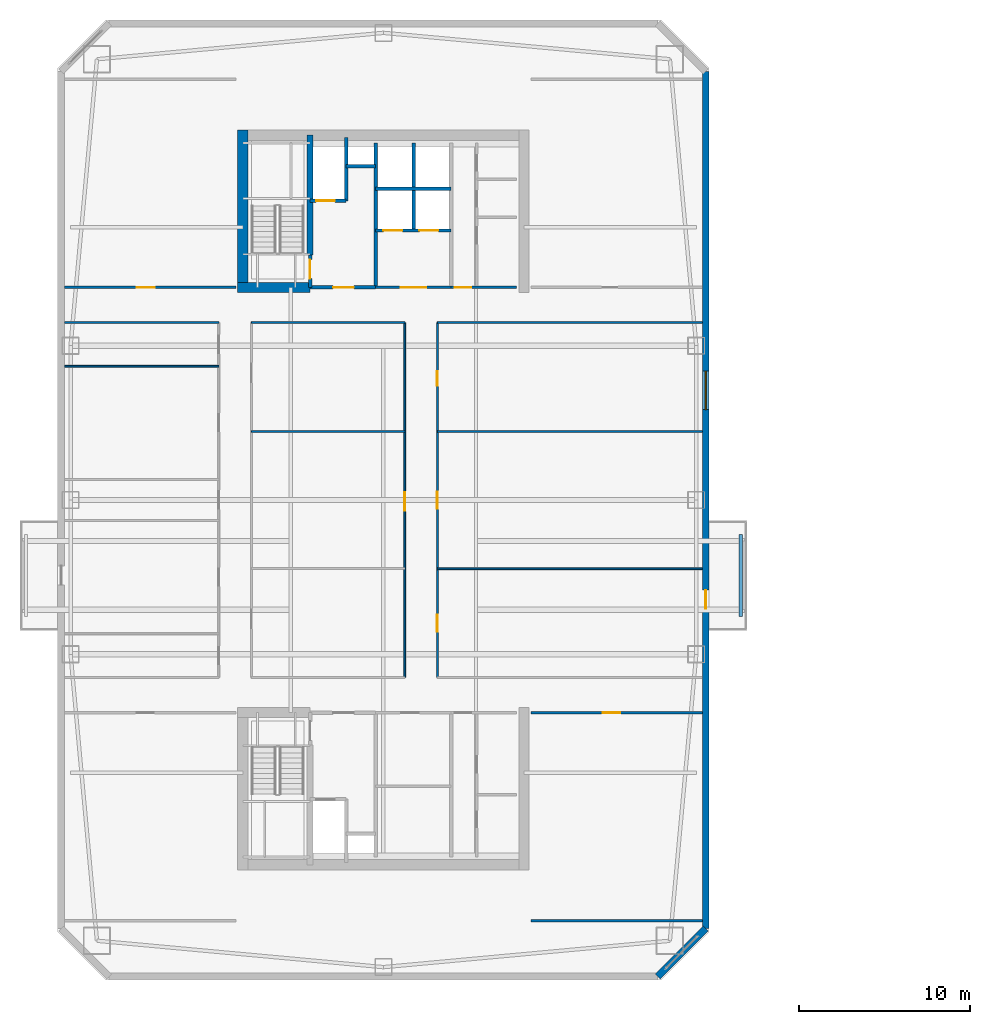
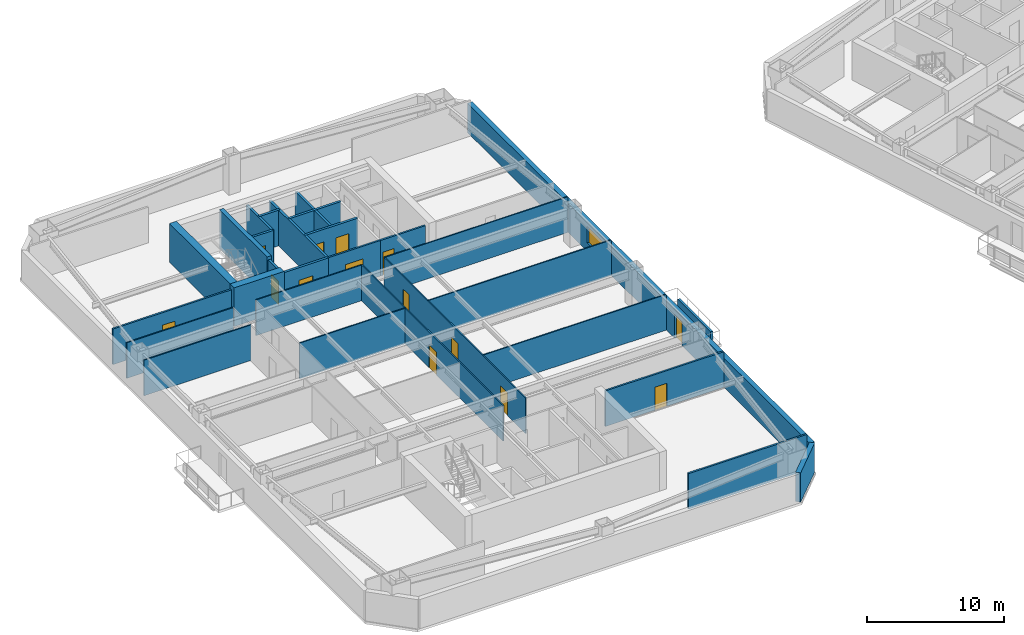
# One storey, part 13 of 22: 29 walls, 14 doors, 1 window, 15 openings.
"""IFC4 building model written with IfcOpenShell, lengths in metres."""

from ifc_helpers import new_model, si_unit, direction, frame, frame_2d, origin, place, context, subcontext, project, spatial, rectangle, extrude, material, layer, layer_set, type_object, element, fill, save


model = new_model("IFC4")

# Units and contexts
model_context = context("Model", 3, precision=1e-05, world=origin(), true_north=direction((0.0, 1.0)))
body_context = subcontext(model_context, "Body", "Model", "MODEL_VIEW")
ifc_project = project(units=[si_unit("LENGTHUNIT", "METRE"), si_unit("AREAUNIT", "SQUARE_METRE"), si_unit("VOLUMEUNIT", "CUBIC_METRE"), si_unit("PLANEANGLEUNIT", "RADIAN"), si_unit("MASSUNIT", "GRAM", prefix="KILO")], contexts=[model_context])

# Site, building, storey
site_placement = place(None, origin())
site = spatial("IfcSite", under=ifc_project, at=site_placement, CompositionType="ELEMENT")
building_placement = place(site_placement, origin())
building = spatial("IfcBuilding", under=site, at=building_placement, Name="Qiaolan Cultural Towers", CompositionType="ELEMENT")
storey_placement = place(building_placement, frame((0.0, 0.0, 146.050048828125)))
storey = spatial("IfcBuildingStorey", under=building, at=storey_placement, Name="L38", CompositionType="ELEMENT", Elevation=146.050048828125)

# Walls
ifc_material_1 = material(Name="Concrete C50", Category="concrete")
ifc_layer_1 = layer(ifc_material_1, 0.35009765625)
ifc_layer_set_1 = layer_set([ifc_layer_1], Name="Concrete C50")
wall_type_1 = type_object("IfcWallType", Name="WL-CORE-350", PredefinedType="SHEAR", material=ifc_layer_set_1)
wall_1_placement = place(storey_placement, frame((25.719970703125, 48.300048828125, 0.0), z_axis=(0.0, 0.0, 1.0), x_axis=(0.0, 1.0, 0.0)))
element("IfcWall", 1, at=wall_1_placement, inside=storey, type_object=wall_type_1, Name="L38 T1-CN Stair Core Dividing Web", PredefinedType="SHEAR", context=body_context, shape_type="SweptSolid", body=[
    extrude(rectangle(XDim=6.97998046875, YDim=0.35009765625, at=frame_2d((3.489990234375, 0.0))), origin(), (0.0, 0.0, 1.0), 3.449951171875),
])
ifc_material_2 = material(Name="Concrete C55", Category="concrete")
ifc_layer_2 = layer(ifc_material_2, 0.60009765625)
ifc_layer_set_2 = layer_set([ifc_layer_2], Name="Concrete C55")
wall_type_2 = type_object("IfcWallType", Name="WL-CORE-600", PredefinedType="SHEAR", material=ifc_layer_set_2)
wall_2_placement = place(storey_placement, frame((21.800048828125, 46.10009765625, 0.0), z_axis=(0.0, 0.0, 1.0), x_axis=(0.0, 1.0, 0.0)))
element("IfcWall", 2, at=wall_2_placement, inside=storey, type_object=wall_type_2, Name="L38 T1-CN West Core Shear Wall", PredefinedType="SHEAR", context=body_context, shape_type="SweptSolid", body=[
    extrude(rectangle(XDim=9.47998046875, YDim=0.60009765625, at=frame_2d((4.739990234375, 0.0))), origin(), (0.0, 0.0, 1.0), 3.449951171875),
])
wall_3_placement = place(storey_placement, frame((21.5, 46.39990234375, 0.0), z_axis=(0.0, 0.0, 1.0), x_axis=(1.0, 0.0, 0.0)))
element("IfcWall", 3, at=wall_3_placement, inside=storey, type_object=wall_type_2, Name="L38 T1-CN Stair Front Shear Wall", PredefinedType="SHEAR", context=body_context, shape_type="SweptSolid", body=[
    extrude(rectangle(XDim=4.219970703125, YDim=0.60009765625, at=frame_2d((2.10986328125, 0.0))), origin(), (0.0, 0.0, 1.0), 3.449951171875),
])

# Wall, openings, door, window
ifc_material_3 = material(Name="Precast Concrete C50 Honed Stone Pier", Category="masonry")
ifc_layer_3 = layer(ifc_material_3, 0.39990234375)
ifc_layer_set_3 = layer_set([ifc_layer_3], Name="Precast Concrete C50 Honed Stone Pier")
wall_type_3 = type_object("IfcWallType", Name="WL-EXT-PIER-400", PredefinedType="SOLIDWALL", material=ifc_layer_set_3)
wall_4_placement = place(storey_placement, frame((48.800048828125, 59.0, 0.0), z_axis=(0.0, 0.0, 1.0), x_axis=(0.0, -1.0, 0.0)))
wall_4 = element("IfcWall", 4, at=wall_4_placement, inside=storey, type_object=wall_type_3, Name="L38 West Tower Precast Pier Facade Wall F5", PredefinedType="SOLIDWALL", context=body_context, shape_type="SweptSolid", body=[
    extrude(rectangle(XDim=50.0, YDim=0.39990234375, at=frame_2d((25.0, 0.0))), origin(), (0.0, 0.0, 1.0), 2.60986328125),
])
opening_1_placement = place(wall_4_placement, frame((17.47509765625, 0.0, 0.75)))
opening_1 = element("IfcOpeningElement", 5, at=opening_1_placement, cuts=wall_4, Name="Opening W-03", PredefinedType="OPENING", context=body_context, shape_type="SweptSolid", body=[
    extrude(rectangle(XDim=2.25, YDim=1.4599609375, at=frame_2d((1.125, 0.72998046875))), frame((0.0, 0.2099609375, 0.0), z_axis=(0.0, -1.0, 0.0), x_axis=(1.0, 0.0, 0.0)), (0.0, 0.0, 1.0), 0.419921875),
])
opening_2_placement = place(wall_4_placement, frame((30.257568359375, 0.0, 0.0)))
opening_2 = element("IfcOpeningElement", 6, at=opening_2_placement, cuts=wall_4, Name="Opening BD-01", PredefinedType="OPENING", context=body_context, shape_type="SweptSolid", body=[
    extrude(rectangle(XDim=1.10009765625, YDim=2.14990234375, at=frame_2d((0.550048828125, 1.074951171875))), frame((0.0, 0.2099609375, 0.0), z_axis=(0.0, -1.0, 0.0), x_axis=(1.0, 0.0, 0.0)), (0.0, 0.0, 1.0), 0.419921875),
])
ifc_material_4 = material(Name="Thermally Broken Aluminium Glazed Terrace Door", Category="aluminium")
door_type_1 = type_object("IfcDoorType", Name="DR-BAL-1100", OperationType="NOTDEFINED", PredefinedType="DOOR", material=ifc_material_4)
door_1_placement = place(opening_2_placement, origin())
door_1 = element("IfcDoor", 7, at=door_1_placement, inside=storey, type_object=door_type_1, Name="L38 T1 East Tree Balcony Door", OperationType="SINGLE_SWING_RIGHT", OverallHeight=2.14990234375, OverallWidth=1.10009765625, PredefinedType="DOOR", context=body_context, shape_type="SweptSolid", body=[
    extrude(rectangle(XDim=1.10009765625, YDim=2.14990234375, at=frame_2d((0.550048828125, 1.074951171875))), frame((0.0, 0.02490234375, 0.0), z_axis=(0.0, -1.0, 0.0), x_axis=(1.0, 0.0, 0.0)), (0.0, 0.0, 1.0), 0.050048828125),
])
fill(opening_2, door_1)
ifc_material_5 = material(Name="Thermally Broken Aluminium Triple Low-E Glazing", Category="aluminium")
window_type = type_object("IfcWindowType", Name="WN-CHIC-2250", PartitioningType="SINGLE_PANEL", PredefinedType="WINDOW", material=ifc_material_5)
window_placement = place(opening_1_placement, origin())
window = element("IfcWindow", 8, at=window_placement, inside=storey, type_object=window_type, Name="L38 T1 E Chicago Bay Window 1", OverallHeight=1.4599609375, OverallWidth=2.25, PartitioningType="TRIPLE_PANEL_VERTICAL", PredefinedType="WINDOW", context=body_context, shape_type="SweptSolid", body=[
    extrude(rectangle(XDim=2.25, YDim=1.4599609375, at=frame_2d((1.125, 0.72998046875))), frame((0.0, 0.030029296875, 0.0), z_axis=(0.0, -1.0, 0.0), x_axis=(1.0, 0.0, 0.0)), (0.0, 0.0, 1.0), 0.06005859375),
])
fill(opening_1, window)

# Wall
wall_5_placement = place(storey_placement, frame((48.800048828125, 9.0, 0.0), z_axis=(0.0, 0.0, 1.0), x_axis=(-0.707106781187, -0.707106781187, 0.0)))
element("IfcWall", 9, at=wall_5_placement, inside=storey, type_object=wall_type_3, Name="L38 West Tower Precast Pier Facade Wall F6", PredefinedType="SOLIDWALL", context=body_context, shape_type="SweptSolid", body=[
    extrude(rectangle(XDim=3.9599609375, YDim=0.39990234375, at=frame_2d((1.97998046875, 0.0))), origin(), (0.0, 0.0, 1.0), 2.60986328125),
])

# Wall, opening, door
ifc_material_6 = material(Name="Concrete C35 Fire Wall", Category="concrete")
ifc_layer_4 = layer(ifc_material_6, 0.199951171875)
ifc_layer_set_4 = layer_set([ifc_layer_4], Name="Concrete C35 Fire Wall")
wall_type_4 = type_object("IfcWallType", Name="WL-FIRE-200", PredefinedType="PARTITIONING", material=ifc_layer_set_4)
wall_6_placement = place(storey_placement, frame((25.719970703125, 46.39990234375, 0.0), z_axis=(0.0, 0.0, 1.0), x_axis=(0.0, 1.0, 0.0)))
wall_6 = element("IfcWall", 10, at=wall_6_placement, inside=storey, type_object=wall_type_4, Name="L38 T1-CN Smokeproof Stair Entry Wall", PredefinedType="PARTITIONING", context=body_context, shape_type="SweptSolid", body=[
    extrude(rectangle(XDim=1.900146484375, YDim=0.199951171875, at=frame_2d((0.9501953125, 0.0))), origin(), (0.0, 0.0, 1.0), 3.175048828125),
])
opening_3_placement = place(wall_6_placement, frame((0.52001953125, 0.0, 0.0)))
opening_3 = element("IfcOpeningElement", 11, at=opening_3_placement, cuts=wall_6, Name="Opening FD-04", PredefinedType="OPENING", context=body_context, shape_type="SweptSolid", body=[
    extrude(rectangle(XDim=1.10009765625, YDim=2.050048828125, at=frame_2d((0.550048828125, 1.02490234375))), frame((0.0, 0.10986328125, 0.0), z_axis=(0.0, -1.0, 0.0), x_axis=(1.0, 0.0, 0.0)), (0.0, 0.0, 1.0), 0.219970703125),
])
ifc_material_7 = material(Name="Galvanized Steel Command Fire Door", Category="steel")
door_type_2 = type_object("IfcDoorType", Name="DR-FD90-1100", OperationType="NOTDEFINED", PredefinedType="DOOR", material=ifc_material_7)
door_2_placement = place(opening_3_placement, origin())
door_2 = element("IfcDoor", 12, at=door_2_placement, inside=storey, type_object=door_type_2, Name="L38 ST-W2 Smokeproof Stair Fire Door", OperationType="SINGLE_SWING_LEFT", OverallHeight=2.050048828125, OverallWidth=1.10009765625, PredefinedType="DOOR", context=body_context, shape_type="SweptSolid", body=[
    extrude(rectangle(XDim=1.10009765625, YDim=2.050048828125, at=frame_2d((0.550048828125, 1.02490234375))), frame((0.0, 0.02490234375, 0.0), z_axis=(0.0, -1.0, 0.0), x_axis=(1.0, 0.0, 0.0)), (0.0, 0.0, 1.0), 0.050048828125),
])
fill(opening_3, door_2)

# Wall
wall_7_placement = place(storey_placement, frame((29.550048828125, 46.39990234375, 0.0), z_axis=(0.0, 0.0, 1.0), x_axis=(0.0, 1.0, 0.0)))
element("IfcWall", 13, at=wall_7_placement, inside=storey, type_object=wall_type_4, Name="L38 T1-CN Firefighting Zone Wall", PredefinedType="PARTITIONING", context=body_context, shape_type="SweptSolid", body=[
    extrude(rectangle(XDim=8.43017578125, YDim=0.199951171875, at=frame_2d((4.215087890625, 0.0))), origin(), (0.0, 0.0, 1.0), 3.175048828125),
])

# Wall, opening, door
wall_8_placement = place(storey_placement, frame((25.719970703125, 46.39990234375, 0.0), z_axis=(0.0, 0.0, 1.0), x_axis=(1.0, 0.0, 0.0)))
wall_8 = element("IfcWall", 14, at=wall_8_placement, inside=storey, type_object=wall_type_4, Name="L38 T1-CN Firefighting Lobby Front Wall", PredefinedType="PARTITIONING", context=body_context, shape_type="SweptSolid", body=[
    extrude(rectangle(XDim=3.830078125, YDim=0.199951171875, at=frame_2d((1.9150390625, 0.0))), origin(), (0.0, 0.0, 1.0), 3.175048828125),
])
opening_4_placement = place(wall_8_placement, frame((1.35009765625, 0.0, 0.0)))
opening_4 = element("IfcOpeningElement", 15, at=opening_4_placement, cuts=wall_8, Name="Opening FD-03", PredefinedType="OPENING", context=body_context, shape_type="SweptSolid", body=[
    extrude(rectangle(XDim=1.199951171875, YDim=2.050048828125, at=frame_2d((0.60009765625, 1.02490234375))), frame((0.0, 0.10986328125, 0.0), z_axis=(0.0, -1.0, 0.0), x_axis=(1.0, 0.0, 0.0)), (0.0, 0.0, 1.0), 0.219970703125),
])
ifc_material_8 = material(Name="Galvanized Steel Smokeproof Lobby Fire Door", Category="steel")
door_type_3 = type_object("IfcDoorType", Name="DR-FD90-1200", OperationType="NOTDEFINED", PredefinedType="DOOR", material=ifc_material_8)
door_3_placement = place(opening_4_placement, origin())
door_3 = element("IfcDoor", 16, at=door_3_placement, inside=storey, type_object=door_type_3, Name="L38 FFL-W2 Firefighting Lobby Fire Door", OperationType="SINGLE_SWING_LEFT", OverallHeight=2.050048828125, OverallWidth=1.199951171875, PredefinedType="DOOR", context=body_context, shape_type="SweptSolid", body=[
    extrude(rectangle(XDim=1.199951171875, YDim=2.050048828125, at=frame_2d((0.60009765625, 1.02490234375))), frame((0.0, 0.02490234375, 0.0), z_axis=(0.0, -1.0, 0.0), x_axis=(1.0, 0.0, 0.0)), (0.0, 0.0, 1.0), 0.050048828125),
])
fill(opening_4, door_3)

wall_9_placement = place(storey_placement, frame((25.719970703125, 51.449951171875, 0.0), z_axis=(0.0, 0.0, 1.0), x_axis=(1.0, 0.0, 0.0)))
wall_9 = element("IfcWall", 17, at=wall_9_placement, inside=storey, type_object=wall_type_4, Name="L38 T1-CN Firefighting Shaft Front Wall", PredefinedType="PARTITIONING", context=body_context, shape_type="SweptSolid", body=[
    extrude(rectangle(XDim=2.10009765625, YDim=0.199951171875, at=frame_2d((1.050048828125, 0.0))), origin(), (0.0, 0.0, 1.0), 3.175048828125),
])
opening_5_placement = place(wall_9_placement, frame((0.35009765625, 0.0, 0.0)))
opening_5 = element("IfcOpeningElement", 18, at=opening_5_placement, cuts=wall_9, Name="Opening LD-01", PredefinedType="OPENING", context=body_context, shape_type="SweptSolid", body=[
    extrude(rectangle(XDim=1.10009765625, YDim=2.050048828125, at=frame_2d((0.550048828125, 1.02490234375))), frame((0.0, 0.10986328125, 0.0), z_axis=(0.0, -1.0, 0.0), x_axis=(1.0, 0.0, 0.0)), (0.0, 0.0, 1.0), 0.219970703125),
])
ifc_material_9 = material(Name="Brushed Stainless Steel S30408 Centre-Parting Lift Landing Door", Category="steel")
door_type_4 = type_object("IfcDoorType", Name="DR-LIFT-1100", OperationType="NOTDEFINED", PredefinedType="DOOR", material=ifc_material_9)
door_4_placement = place(opening_5_placement, origin())
door_4 = element("IfcDoor", 19, at=door_4_placement, inside=storey, type_object=door_type_4, Name="L38 FFL-W2 Firefighting Lift Landing Door", OperationType="DOUBLE_DOOR_SLIDING", OverallHeight=2.050048828125, OverallWidth=1.10009765625, PredefinedType="DOOR", context=body_context, shape_type="SweptSolid", body=[
    extrude(rectangle(XDim=1.10009765625, YDim=2.050048828125, at=frame_2d((0.550048828125, 1.02490234375))), frame((0.0, 0.02490234375, 0.0), z_axis=(0.0, -1.0, 0.0), x_axis=(1.0, 0.0, 0.0)), (0.0, 0.0, 1.0), 0.050048828125),
])
fill(opening_5, door_4)

# Walls
wall_10_placement = place(storey_placement, frame((27.820068359375, 51.449951171875, 0.0), z_axis=(0.0, 0.0, 1.0), x_axis=(0.0, 1.0, 0.0)))
element("IfcWall", 20, at=wall_10_placement, inside=storey, type_object=wall_type_4, Name="L38 T1-CN Firefighting Hoistway East Wall", PredefinedType="PARTITIONING", context=body_context, shape_type="SweptSolid", body=[
    extrude(rectangle(XDim=3.699951171875, YDim=0.199951171875, at=frame_2d((1.85009765625, 0.0))), origin(), (0.0, 0.0, 1.0), 3.175048828125),
])
wall_11_placement = place(storey_placement, frame((27.820068359375, 53.47998046875, 0.0), z_axis=(0.0, 0.0, 1.0), x_axis=(1.0, 0.0, 0.0)))
element("IfcWall", 21, at=wall_11_placement, inside=storey, type_object=wall_type_4, Name="L38 T1-CN Pressurization Shaft Front Wall", PredefinedType="PARTITIONING", context=body_context, shape_type="SweptSolid", body=[
    extrude(rectangle(XDim=1.72998046875, YDim=0.199951171875, at=frame_2d((0.864990234375, 0.0))), origin(), (0.0, 0.0, 1.0), 3.175048828125),
])

# Wall, openings, doors
wall_12_placement = place(storey_placement, frame((29.550048828125, 49.719970703125, 0.0), z_axis=(0.0, 0.0, 1.0), x_axis=(1.0, 0.0, 0.0)))
wall_12 = element("IfcWall", 22, at=wall_12_placement, inside=storey, type_object=wall_type_4, Name="L38 T1-CN Passenger Lift Shaft Front Wall", PredefinedType="PARTITIONING", context=body_context, shape_type="SweptSolid", body=[
    extrude(rectangle(XDim=4.39990234375, YDim=0.199951171875, at=frame_2d((2.199951171875, 0.0))), origin(), (0.0, 0.0, 1.0), 3.175048828125),
])
opening_6_placement = place(wall_12_placement, frame((0.449951171875, 0.0, 0.0)))
opening_6 = element("IfcOpeningElement", 23, at=opening_6_placement, cuts=wall_12, Name="Opening LD-01", PredefinedType="OPENING", context=body_context, shape_type="SweptSolid", body=[
    extrude(rectangle(XDim=1.10009765625, YDim=2.050048828125, at=frame_2d((0.550048828125, 1.02490234375))), frame((0.0, 0.10986328125, 0.0), z_axis=(0.0, -1.0, 0.0), x_axis=(1.0, 0.0, 0.0)), (0.0, 0.0, 1.0), 0.219970703125),
])
opening_7_placement = place(wall_12_placement, frame((2.550048828125, 0.0, 0.0)))
opening_7 = element("IfcOpeningElement", 24, at=opening_7_placement, cuts=wall_12, Name="Opening LD-01", PredefinedType="OPENING", context=body_context, shape_type="SweptSolid", body=[
    extrude(rectangle(XDim=1.10009765625, YDim=2.050048828125, at=frame_2d((0.550048828125, 1.02490234375))), frame((0.0, 0.10986328125, 0.0), z_axis=(0.0, -1.0, 0.0), x_axis=(1.0, 0.0, 0.0)), (0.0, 0.0, 1.0), 0.219970703125),
])
door_5_placement = place(opening_6_placement, origin())
door_5 = element("IfcDoor", 25, at=door_5_placement, inside=storey, type_object=door_type_4, Name="L38 Passenger Lift 1 Landing Door", OperationType="DOUBLE_DOOR_SLIDING", OverallHeight=2.050048828125, OverallWidth=1.10009765625, PredefinedType="DOOR", context=body_context, shape_type="SweptSolid", body=[
    extrude(rectangle(XDim=1.10009765625, YDim=2.050048828125, at=frame_2d((0.550048828125, 1.02490234375))), frame((0.0, 0.02490234375, 0.0), z_axis=(0.0, -1.0, 0.0), x_axis=(1.0, 0.0, 0.0)), (0.0, 0.0, 1.0), 0.050048828125),
])
fill(opening_6, door_5)
door_6_placement = place(opening_7_placement, origin())
door_6 = element("IfcDoor", 26, at=door_6_placement, inside=storey, type_object=door_type_4, Name="L38 Passenger Lift 2 Landing Door", OperationType="DOUBLE_DOOR_SLIDING", OverallHeight=2.050048828125, OverallWidth=1.10009765625, PredefinedType="DOOR", context=body_context, shape_type="SweptSolid", body=[
    extrude(rectangle(XDim=1.10009765625, YDim=2.050048828125, at=frame_2d((0.550048828125, 1.02490234375))), frame((0.0, 0.02490234375, 0.0), z_axis=(0.0, -1.0, 0.0), x_axis=(1.0, 0.0, 0.0)), (0.0, 0.0, 1.0), 0.050048828125),
])
fill(opening_7, door_6)

# Walls
wall_13_placement = place(storey_placement, frame((31.780029296875, 49.719970703125, 0.0), z_axis=(0.0, 0.0, 1.0), x_axis=(0.0, 1.0, 0.0)))
element("IfcWall", 27, at=wall_13_placement, inside=storey, type_object=wall_type_4, Name="L38 T1-CN Lift Shaft Divider Wall", PredefinedType="PARTITIONING", context=body_context, shape_type="SweptSolid", body=[
    extrude(rectangle(XDim=5.110107421875, YDim=0.199951171875, at=frame_2d((2.55517578125, 0.0))), origin(), (0.0, 0.0, 1.0), 3.175048828125),
])
wall_14_placement = place(storey_placement, frame((29.550048828125, 52.14990234375, 0.0), z_axis=(0.0, 0.0, 1.0), x_axis=(1.0, 0.0, 0.0)))
element("IfcWall", 28, at=wall_14_placement, inside=storey, type_object=wall_type_4, Name="L38 T1-CN Passenger Lift Shaft Back Wall", PredefinedType="PARTITIONING", context=body_context, shape_type="SweptSolid", body=[
    extrude(rectangle(XDim=4.39990234375, YDim=0.199951171875, at=frame_2d((2.199951171875, 0.0))), origin(), (0.0, 0.0, 1.0), 3.175048828125),
])
ifc_material_10 = material(Name="Acoustic Double-Glazed Partition Frame", Category="glass")
ifc_layer_5 = layer(ifc_material_10, 0.10009765625)
ifc_layer_set_5 = layer_set([ifc_layer_5], Name="Acoustic Double-Glazed Partition Frame")
wall_type_5 = type_object("IfcWallType", Name="WL-GLAZED-100", PredefinedType="MOVABLE", material=ifc_layer_set_5)
wall_15_placement = place(storey_placement, frame((11.39990234375, 44.35009765625, 0.0), z_axis=(0.0, 0.0, 1.0), x_axis=(1.0, 0.0, 0.0)))
element("IfcWall", 29, at=wall_15_placement, inside=storey, type_object=wall_type_5, Name="L38 T1 Interior Wall", PredefinedType="MOVABLE", context=body_context, shape_type="SweptSolid", body=[
    extrude(rectangle(XDim=9.0, YDim=0.10009765625, at=frame_2d((4.5, 0.0))), origin(), (0.0, 0.0, 1.0), 3.175048828125),
])
wall_16_placement = place(storey_placement, frame((22.300048828125, 44.35009765625, 0.0), z_axis=(0.0, 0.0, 1.0), x_axis=(1.0, 0.0, 0.0)))
element("IfcWall", 30, at=wall_16_placement, inside=storey, type_object=wall_type_5, Name="L38 T1 Interior Wall", PredefinedType="MOVABLE", context=body_context, shape_type="SweptSolid", body=[
    extrude(rectangle(XDim=8.949951171875, YDim=0.10009765625, at=frame_2d((4.47509765625, 0.0))), origin(), (0.0, 0.0, 1.0), 3.175048828125),
])
wall_17_placement = place(storey_placement, frame((33.14990234375, 44.35009765625, 0.0), z_axis=(0.0, 0.0, 1.0), x_axis=(1.0, 0.0, 0.0)))
element("IfcWall", 31, at=wall_17_placement, inside=storey, type_object=wall_type_5, Name="L38 T1 Interior Wall", PredefinedType="MOVABLE", context=body_context, shape_type="SweptSolid", body=[
    extrude(rectangle(XDim=15.4501953125, YDim=0.10009765625, at=frame_2d((7.72509765625, 0.0))), origin(), (0.0, 0.0, 1.0), 3.175048828125),
])

# Wall, opening, door
wall_18_placement = place(storey_placement, frame((31.25, 23.64990234375, 0.0), z_axis=(0.0, 0.0, 1.0), x_axis=(0.0, 1.0, 0.0)))
wall_18 = element("IfcWall", 32, at=wall_18_placement, inside=storey, type_object=wall_type_5, Name="L38 T1 Interior Wall", PredefinedType="MOVABLE", context=body_context, shape_type="SweptSolid", body=[
    extrude(rectangle(XDim=20.7001953125, YDim=0.10009765625, at=frame_2d((10.35009765625, 0.0))), origin(), (0.0, 0.0, 1.0), 3.175048828125),
])
opening_8_placement = place(wall_18_placement, frame((9.7099609375, 0.0, 0.0)))
opening_8 = element("IfcOpeningElement", 33, at=opening_8_placement, cuts=wall_18, Name="Opening ID-03", PredefinedType="OPENING", context=body_context, shape_type="SweptSolid", body=[
    extrude(rectangle(XDim=1.10009765625, YDim=2.050048828125, at=frame_2d((0.550048828125, 1.02490234375))), frame((0.0, 0.06005859375, 0.0), z_axis=(0.0, -1.0, 0.0), x_axis=(1.0, 0.0, 0.0)), (0.0, 0.0, 1.0), 0.1201171875),
])
ifc_material_11 = material(Name="Oak Veneer Solid-Core Boardroom Door", Category="timber")
door_type_5 = type_object("IfcDoorType", Name="DR-INT-1100", OperationType="NOTDEFINED", PredefinedType="DOOR", material=ifc_material_11)
door_7_placement = place(opening_8_placement, origin())
door_7 = element("IfcDoor", 34, at=door_7_placement, inside=storey, type_object=door_type_5, Name="L38 T1 Central Study Salon Door", OperationType="SINGLE_SWING_LEFT", OverallHeight=2.050048828125, OverallWidth=1.10009765625, PredefinedType="DOOR", context=body_context, shape_type="SweptSolid", body=[
    extrude(rectangle(XDim=1.10009765625, YDim=2.050048828125, at=frame_2d((0.550048828125, 1.02490234375))), frame((0.0, 0.02490234375, 0.0), z_axis=(0.0, -1.0, 0.0), x_axis=(1.0, 0.0, 0.0)), (0.0, 0.0, 1.0), 0.050048828125),
])
fill(opening_8, door_7)

# Wall, openings, doors
wall_19_placement = place(storey_placement, frame((33.14990234375, 23.64990234375, 0.0), z_axis=(0.0, 0.0, 1.0), x_axis=(0.0, 1.0, 0.0)))
wall_19 = element("IfcWall", 35, at=wall_19_placement, inside=storey, type_object=wall_type_5, Name="L38 T1 Interior Wall", PredefinedType="MOVABLE", context=body_context, shape_type="SweptSolid", body=[
    extrude(rectangle(XDim=20.7001953125, YDim=0.10009765625, at=frame_2d((10.35009765625, 0.0))), origin(), (0.0, 0.0, 1.0), 3.175048828125),
])
opening_9_placement = place(wall_19_placement, frame((2.66748046875, 0.0, 0.0)))
opening_9 = element("IfcOpeningElement", 36, at=opening_9_placement, cuts=wall_19, Name="Opening ID-04", PredefinedType="OPENING", context=body_context, shape_type="SweptSolid", body=[
    extrude(rectangle(XDim=1.0, YDim=2.050048828125, at=frame_2d((0.5, 1.02490234375))), frame((0.0, 0.06005859375, 0.0), z_axis=(0.0, -1.0, 0.0), x_axis=(1.0, 0.0, 0.0)), (0.0, 0.0, 1.0), 0.1201171875),
])
opening_10_placement = place(wall_19_placement, frame((9.842529296875, 0.0, 0.0)))
opening_10 = element("IfcOpeningElement", 37, at=opening_10_placement, cuts=wall_19, Name="Opening ID-04", PredefinedType="OPENING", context=body_context, shape_type="SweptSolid", body=[
    extrude(rectangle(XDim=1.0, YDim=2.050048828125, at=frame_2d((0.5, 1.02490234375))), frame((0.0, 0.06005859375, 0.0), z_axis=(0.0, -1.0, 0.0), x_axis=(1.0, 0.0, 0.0)), (0.0, 0.0, 1.0), 0.1201171875),
])
opening_11_placement = place(wall_19_placement, frame((17.02490234375, 0.0, 0.0)))
opening_11 = element("IfcOpeningElement", 38, at=opening_11_placement, cuts=wall_19, Name="Opening ID-09", PredefinedType="OPENING", context=body_context, shape_type="SweptSolid", body=[
    extrude(rectangle(XDim=0.85009765625, YDim=2.050048828125, at=frame_2d((0.425048828125, 1.02490234375))), frame((0.0, 0.06005859375, 0.0), z_axis=(0.0, -1.0, 0.0), x_axis=(1.0, 0.0, 0.0)), (0.0, 0.0, 1.0), 0.1201171875),
])
ifc_material_12 = material(Name="Oak Veneer Acoustic Office Door", Category="timber")
door_type_6 = type_object("IfcDoorType", Name="DR-INT-1000", OperationType="NOTDEFINED", PredefinedType="DOOR", material=ifc_material_12)
door_8_placement = place(opening_9_placement, origin())
door_8 = element("IfcDoor", 39, at=door_8_placement, inside=storey, type_object=door_type_6, Name="L38 T1 Urban Exhibition Hall Door", OperationType="SINGLE_SWING_RIGHT", OverallHeight=2.050048828125, OverallWidth=1.0, PredefinedType="DOOR", context=body_context, shape_type="SweptSolid", body=[
    extrude(rectangle(XDim=1.0, YDim=2.050048828125, at=frame_2d((0.5, 1.02490234375))), frame((0.0, 0.02490234375, 0.0), z_axis=(0.0, -1.0, 0.0), x_axis=(1.0, 0.0, 0.0)), (0.0, 0.0, 1.0), 0.050048828125),
])
fill(opening_9, door_8)
door_9_placement = place(opening_10_placement, origin())
door_9 = element("IfcDoor", 40, at=door_9_placement, inside=storey, type_object=door_type_6, Name="L38 T1 Urban Exhibition Hall Door", OperationType="SINGLE_SWING_LEFT", OverallHeight=2.050048828125, OverallWidth=1.0, PredefinedType="DOOR", context=body_context, shape_type="SweptSolid", body=[
    extrude(rectangle(XDim=1.0, YDim=2.050048828125, at=frame_2d((0.5, 1.02490234375))), frame((0.0, 0.02490234375, 0.0), z_axis=(0.0, -1.0, 0.0), x_axis=(1.0, 0.0, 0.0)), (0.0, 0.0, 1.0), 0.050048828125),
])
fill(opening_10, door_9)
ifc_material_13 = material(Name="Moisture-Resistant Laminate Utility Door", Category="timber")
door_type_7 = type_object("IfcDoorType", Name="DR-INT-850", OperationType="NOTDEFINED", PredefinedType="DOOR", material=ifc_material_13)
door_10_placement = place(opening_11_placement, origin())
door_10 = element("IfcDoor", 41, at=door_10_placement, inside=storey, type_object=door_type_7, Name="L38 T1 Print & Book Counter Door", OperationType="SINGLE_SWING_RIGHT", OverallHeight=2.050048828125, OverallWidth=0.85009765625, PredefinedType="DOOR", context=body_context, shape_type="SweptSolid", body=[
    extrude(rectangle(XDim=0.85009765625, YDim=2.050048828125, at=frame_2d((0.425048828125, 1.02490234375))), frame((0.0, 0.02490234375, 0.0), z_axis=(0.0, -1.0, 0.0), x_axis=(1.0, 0.0, 0.0)), (0.0, 0.0, 1.0), 0.050048828125),
])
fill(opening_11, door_10)

# Walls
wall_20_placement = place(storey_placement, frame((22.300048828125, 38.0, 0.0), z_axis=(0.0, 0.0, 1.0), x_axis=(1.0, 0.0, 0.0)))
element("IfcWall", 42, at=wall_20_placement, inside=storey, type_object=wall_type_5, Name="L38 T1 Interior Wall", PredefinedType="MOVABLE", context=body_context, shape_type="SweptSolid", body=[
    extrude(rectangle(XDim=8.949951171875, YDim=0.10009765625, at=frame_2d((4.47509765625, 0.0))), origin(), (0.0, 0.0, 1.0), 3.175048828125),
])
wall_21_placement = place(storey_placement, frame((11.39990234375, 41.800048828125, 0.0), z_axis=(0.0, 0.0, 1.0), x_axis=(1.0, 0.0, 0.0)))
element("IfcWall", 43, at=wall_21_placement, inside=storey, type_object=wall_type_5, Name="L38 T1 Interior Wall", PredefinedType="MOVABLE", context=body_context, shape_type="SweptSolid", body=[
    extrude(rectangle(XDim=9.0, YDim=0.10009765625, at=frame_2d((4.5, 0.0))), origin(), (0.0, 0.0, 1.0), 3.175048828125),
])
for number, where, z_axis, x_axis, name in (
    (44, (33.14990234375, 29.985107421875, 0.0), (0.0, 0.0, 1.0), (1.0, 0.0, 0.0), "L38 T1 Interior Wall"),
    (45, (33.14990234375, 38.0, 0.0), (0.0, 0.0, 1.0), (1.0, 0.0, 0.0), "L38 T1 Interior Wall"),
):
    element("IfcWall", number, at=place(storey_placement, frame(where, z_axis=z_axis, x_axis=x_axis)), inside=storey, type_object=wall_type_5, Name=name, PredefinedType="MOVABLE", context=body_context, shape_type="SweptSolid", body=[
        extrude(rectangle(XDim=15.4501953125, YDim=0.10009765625, at=frame_2d((7.72509765625, 0.0))), origin(), (0.0, 0.0, 1.0), 3.175048828125),
    ])

# Wall, opening, door
ifc_material_14 = material(Name="Autoclaved Aerated Concrete Block B06", Category="concrete")
ifc_layer_6 = layer(ifc_material_14, 0.14990234375)
ifc_layer_set_6 = layer_set([ifc_layer_6], Name="Autoclaved Aerated Concrete Block B06")
wall_type_6 = type_object("IfcWallType", Name="WL-PART-150", PredefinedType="PARTITIONING", material=ifc_layer_set_6)
wall_22_placement = place(storey_placement, frame((29.550048828125, 46.39990234375, 0.0), z_axis=(0.0, 0.0, 1.0), x_axis=(1.0, 0.0, 0.0)))
wall_22 = element("IfcWall", 46, at=wall_22_placement, inside=storey, type_object=wall_type_6, Name="L38 T1-CN Passenger Lift Lobby Front Wall", PredefinedType="PARTITIONING", context=body_context, shape_type="SweptSolid", body=[
    extrude(rectangle(XDim=4.39990234375, YDim=0.14990234375, at=frame_2d((2.199951171875, 0.0))), origin(), (0.0, 0.0, 1.0), 3.175048828125),
])
opening_12_placement = place(wall_22_placement, frame((1.449951171875, 0.0, 0.0)))
opening_12 = element("IfcOpeningElement", 47, at=opening_12_placement, cuts=wall_22, Name="Opening FD-05", PredefinedType="OPENING", context=body_context, shape_type="SweptSolid", body=[
    extrude(rectangle(XDim=1.5, YDim=2.050048828125, at=frame_2d((0.75, 1.02490234375))), frame((0.0, 0.0849609375, 0.0), z_axis=(0.0, -1.0, 0.0), x_axis=(1.0, 0.0, 0.0)), (0.0, 0.0, 1.0), 0.169921875),
])
ifc_material_15 = material(Name="Painted Steel Lift Lobby Fire Door", Category="steel")
door_type_8 = type_object("IfcDoorType", Name="DR-FD60-1500", OperationType="NOTDEFINED", PredefinedType="DOOR", material=ifc_material_15)
door_11_placement = place(opening_12_placement, origin())
door_11 = element("IfcDoor", 48, at=door_11_placement, inside=storey, type_object=door_type_8, Name="L38 Passenger Lift Lobby Entrance", OperationType="SINGLE_SWING_LEFT", OverallHeight=2.050048828125, OverallWidth=1.5, PredefinedType="DOOR", context=body_context, shape_type="SweptSolid", body=[
    extrude(rectangle(XDim=1.5, YDim=2.050048828125, at=frame_2d((0.75, 1.02490234375))), frame((0.0, 0.02490234375, 0.0), z_axis=(0.0, -1.0, 0.0), x_axis=(1.0, 0.0, 0.0)), (0.0, 0.0, 1.0), 0.050048828125),
])
fill(opening_12, door_11)

wall_23_placement = place(storey_placement, frame((33.949951171875, 46.39990234375, 0.0), z_axis=(0.0, 0.0, 1.0), x_axis=(1.0, 0.0, 0.0)))
wall_23 = element("IfcWall", 49, at=wall_23_placement, inside=storey, type_object=wall_type_6, Name="L38 T1-CN Sanitary Core Front Wall", PredefinedType="PARTITIONING", context=body_context, shape_type="SweptSolid", body=[
    extrude(rectangle(XDim=3.800048828125, YDim=0.14990234375, at=frame_2d((1.89990234375, 0.0))), origin(), (0.0, 0.0, 1.0), 3.175048828125),
])
opening_13_placement = place(wall_23_placement, frame((0.219970703125, 0.0, 0.0)))
opening_13 = element("IfcOpeningElement", 50, at=opening_13_placement, cuts=wall_23, Name="Opening ID-05", PredefinedType="OPENING", context=body_context, shape_type="SweptSolid", body=[
    extrude(rectangle(XDim=0.949951171875, YDim=2.050048828125, at=frame_2d((0.47509765625, 1.02490234375))), frame((0.0, 0.0849609375, 0.0), z_axis=(0.0, -1.0, 0.0), x_axis=(1.0, 0.0, 0.0)), (0.0, 0.0, 1.0), 0.169921875),
])
ifc_material_16 = material(Name="Fire-Rated Laminate Accessible Core Door", Category="timber")
door_type_9 = type_object("IfcDoorType", Name="DR-INT-950", OperationType="NOTDEFINED", PredefinedType="DOOR", material=ifc_material_16)
door_12_placement = place(opening_13_placement, origin())
door_12 = element("IfcDoor", 51, at=door_12_placement, inside=storey, type_object=door_type_9, Name="L38 Sanitary Vestibule Door", OperationType="SINGLE_SWING_LEFT", OverallHeight=2.050048828125, OverallWidth=0.949951171875, PredefinedType="DOOR", context=body_context, shape_type="SweptSolid", body=[
    extrude(rectangle(XDim=0.949951171875, YDim=2.050048828125, at=frame_2d((0.47509765625, 1.02490234375))), frame((0.0, 0.02490234375, 0.0), z_axis=(0.0, -1.0, 0.0), x_axis=(1.0, 0.0, 0.0)), (0.0, 0.0, 1.0), 0.050048828125),
])
fill(opening_13, door_12)

# Wall
wall_24_placement = place(storey_placement, frame((38.60009765625, 9.449951171875, 0.0), z_axis=(0.0, 0.0, 1.0), x_axis=(1.0, 0.0, 0.0)))
element("IfcWall", 52, at=wall_24_placement, inside=storey, type_object=wall_type_6, Name="L38 T1 Flank Wall FLK-SE", PredefinedType="PARTITIONING", context=body_context, shape_type="SweptSolid", body=[
    extrude(rectangle(XDim=10.0, YDim=0.14990234375, at=frame_2d((5.0, 0.0))), origin(), (0.0, 0.0, 1.0), 3.175048828125),
])

# Wall, opening, door
wall_25_placement = place(storey_placement, frame((38.60009765625, 21.60009765625, 0.0), z_axis=(0.0, 0.0, 1.0), x_axis=(1.0, 0.0, 0.0)))
wall_25 = element("IfcWall", 53, at=wall_25_placement, inside=storey, type_object=wall_type_6, Name="L38 T1 Flank Front FLK-SE", PredefinedType="PARTITIONING", context=body_context, shape_type="SweptSolid", body=[
    extrude(rectangle(XDim=10.0, YDim=0.14990234375, at=frame_2d((5.0, 0.0))), origin(), (0.0, 0.0, 1.0), 3.175048828125),
])
opening_14_placement = place(wall_25_placement, frame((4.199951171875, 0.0, 0.0)))
opening_14 = element("IfcOpeningElement", 54, at=opening_14_placement, cuts=wall_25, Name="Opening ID-04", PredefinedType="OPENING", context=body_context, shape_type="SweptSolid", body=[
    extrude(rectangle(XDim=1.0, YDim=2.050048828125, at=frame_2d((0.5, 1.02490234375))), frame((0.0, 0.0849609375, 0.0), z_axis=(0.0, -1.0, 0.0), x_axis=(1.0, 0.0, 0.0)), (0.0, 0.0, 1.0), 0.169921875),
])
door_13_placement = place(opening_14_placement, origin())
door_13 = element("IfcDoor", 55, at=door_13_placement, inside=storey, type_object=door_type_6, Name="L38 T1 Corner Studio Door", OperationType="SINGLE_SWING_LEFT", OverallHeight=2.050048828125, OverallWidth=1.0, PredefinedType="DOOR", context=body_context, shape_type="SweptSolid", body=[
    extrude(rectangle(XDim=1.0, YDim=2.050048828125, at=frame_2d((0.5, 1.02490234375))), frame((0.0, 0.02490234375, 0.0), z_axis=(0.0, -1.0, 0.0), x_axis=(1.0, 0.0, 0.0)), (0.0, 0.0, 1.0), 0.050048828125),
])
fill(opening_14, door_13)

wall_26_placement = place(storey_placement, frame((11.39990234375, 46.39990234375, 0.0), z_axis=(0.0, 0.0, 1.0), x_axis=(1.0, 0.0, 0.0)))
wall_26 = element("IfcWall", 56, at=wall_26_placement, inside=storey, type_object=wall_type_6, Name="L38 T1 Flank Front FLK-NW", PredefinedType="PARTITIONING", context=body_context, shape_type="SweptSolid", body=[
    extrude(rectangle(XDim=10.0, YDim=0.14990234375, at=frame_2d((5.0, 0.0))), origin(), (0.0, 0.0, 1.0), 3.175048828125),
])
opening_15_placement = place(wall_26_placement, frame((4.199951171875, 0.0, 0.0)))
opening_15 = element("IfcOpeningElement", 57, at=opening_15_placement, cuts=wall_26, Name="Opening ID-07", PredefinedType="OPENING", context=body_context, shape_type="SweptSolid", body=[
    extrude(rectangle(XDim=1.050048828125, YDim=2.050048828125, at=frame_2d((0.52490234375, 1.02490234375))), frame((0.0, 0.0849609375, 0.0), z_axis=(0.0, -1.0, 0.0), x_axis=(1.0, 0.0, 0.0)), (0.0, 0.0, 1.0), 0.169921875),
])
ifc_material_17 = material(Name="Oak Veneer Consultation Door", Category="timber")
door_type_10 = type_object("IfcDoorType", Name="DR-INT-1050", OperationType="NOTDEFINED", PredefinedType="DOOR", material=ifc_material_17)
door_14_placement = place(opening_15_placement, origin())
door_14 = element("IfcDoor", 58, at=door_14_placement, inside=storey, type_object=door_type_10, Name="L38 T1 Corner Studio Door", OperationType="SINGLE_SWING_LEFT", OverallHeight=2.050048828125, OverallWidth=1.050048828125, PredefinedType="DOOR", context=body_context, shape_type="SweptSolid", body=[
    extrude(rectangle(XDim=1.050048828125, YDim=2.050048828125, at=frame_2d((0.52490234375, 1.02490234375))), frame((0.0, 0.02490234375, 0.0), z_axis=(0.0, -1.0, 0.0), x_axis=(1.0, 0.0, 0.0)), (0.0, 0.0, 1.0), 0.050048828125),
])
fill(opening_15, door_14)

# Wall
ifc_material_18 = material(Name="Precast Concrete C45 Tree Planter Upstand", Category="concrete")
ifc_layer_7 = layer(ifc_material_18, 0.199951171875)
ifc_layer_set_7 = layer_set([ifc_layer_7], Name="Precast Concrete C45 Tree Planter Upstand")
wall_type_7 = type_object("IfcWallType", Name="WL-PLANTER-200", PredefinedType="PARAPET", material=ifc_layer_set_7)
wall_27_placement = place(storey_placement, frame((50.85009765625, 27.199951171875, 0.0), z_axis=(0.0, 0.0, 1.0), x_axis=(0.0, 1.0, 0.0)))
element("IfcWall", 59, at=wall_27_placement, inside=storey, type_object=wall_type_7, Name="L38 T1 Tree Balcony Soil Planter Box E", PredefinedType="PARAPET", context=body_context, shape_type="SweptSolid", body=[
    extrude(rectangle(XDim=4.800048828125, YDim=0.199951171875, at=frame_2d((2.39990234375, 0.0))), origin(), (0.0, 0.0, 1.0), 0.75),
])

save(model, "model.ifc")
